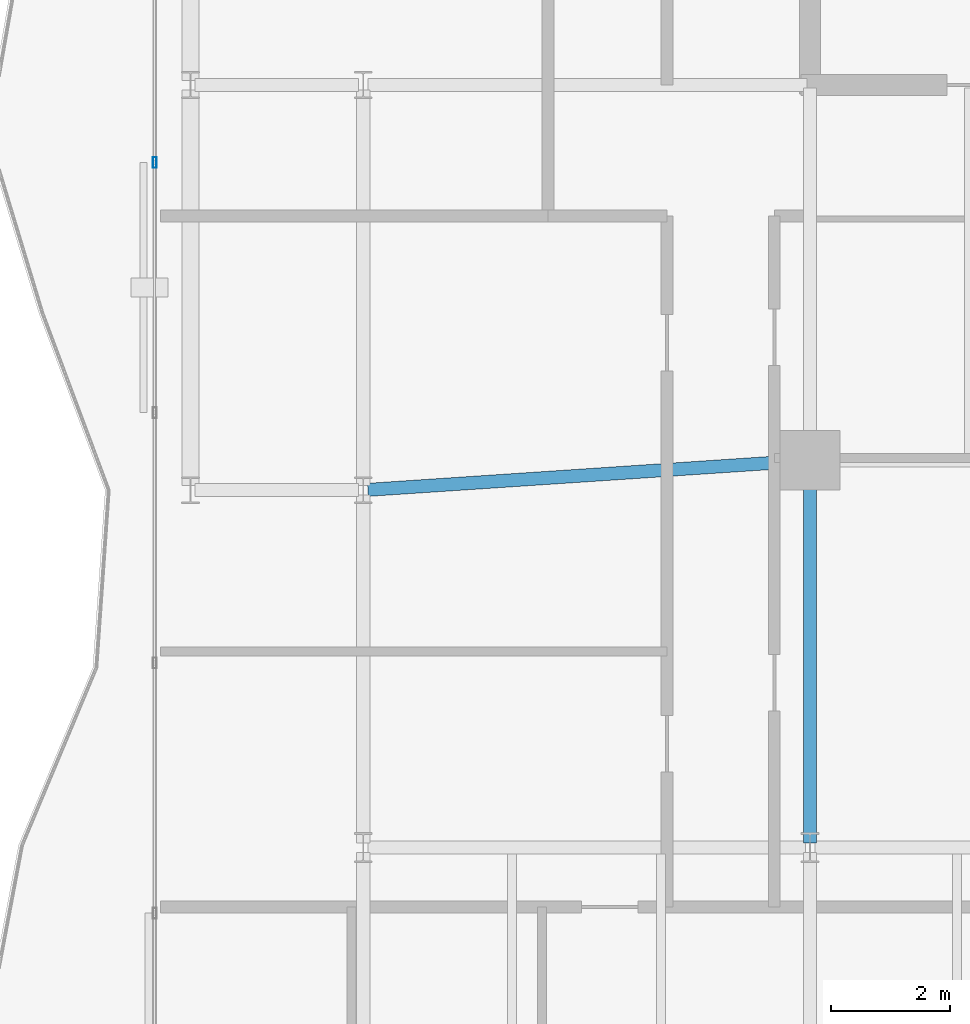
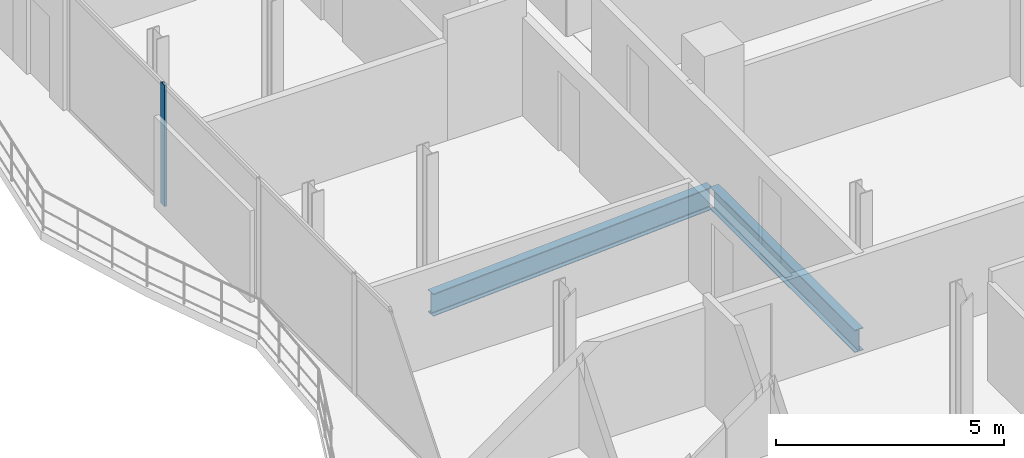
# One storey, part 8 of 23: 2 beams, 1 member, 1 element without a shape of its own.
"""IFC4 building model written with IfcOpenShell, lengths in metres."""

from ifc_helpers import new_model, si_unit, direction, frame, origin, origin_2d, place, context, subcontext, project, spatial, hollow_rectangle, i_section, extrude, material, layer, layer_set, material_profile, profile_set, type_object, element, aggregate, save


model = new_model("IFC4")

# Units and contexts
model_context = context("Model", 3, precision=1e-05, world=origin(), true_north=direction((0.0, 1.0)))
body_context = subcontext(model_context, "Body", "Model", "MODEL_VIEW")
ifc_project = project(units=[si_unit("LENGTHUNIT", "METRE"), si_unit("AREAUNIT", "SQUARE_METRE"), si_unit("VOLUMEUNIT", "CUBIC_METRE"), si_unit("PLANEANGLEUNIT", "RADIAN"), si_unit("MASSUNIT", "GRAM", prefix="KILO")], contexts=[model_context])

# Site, building, storey
site_placement = place(None, origin())
site = spatial("IfcSite", under=ifc_project, at=site_placement, CompositionType="ELEMENT")
building_placement = place(site_placement, origin())
building = spatial("IfcBuilding", under=site, at=building_placement, Name="Catumbela Crestline Tower", CompositionType="ELEMENT")
storey_placement = place(building_placement, frame((0.0, 0.0, 204.6)))
storey = spatial("IfcBuildingStorey", under=building, at=storey_placement, Name="L53", CompositionType="ELEMENT", Elevation=204.6)

# Beams
ifc_material_1 = material(Name="Structural steel S355J2", Category="steel")
ifc_material_profile_1 = material_profile(ifc_material_1, i_section(OverallWidth=0.22, OverallDepth=0.6, WebThickness=0.012, FlangeThickness=0.019, FilletRadius=0.024, at=origin_2d()), Name="IPE 600")
ifc_profile_set_1 = profile_set([ifc_material_profile_1], Name="Structural steel S355J2")
beam_type = type_object("IfcBeamType", Name="BG-IPE600", PredefinedType="BEAM", material=ifc_profile_set_1)
beam_1_placement = place(storey_placement, frame((8.5798, 24.0053, -0.56), z_axis=(0.997784796964, 0.066524423687, 0.0), x_axis=(-0.066524423687, 0.997784796964, 0.0)))
element("IfcBeam", 1, at=beam_1_placement, inside=storey, type_object=beam_type, Name="L53 Beam BM-L53-S02", PredefinedType="BEAM", context=body_context, shape_type="SweptSolid", body=[
    extrude(i_section(OverallWidth=0.22, OverallDepth=0.6, WebThickness=0.012, FlangeThickness=0.019, FilletRadius=0.024, at=origin_2d()), origin(), (0.0, 0.0, 1.0), 7.3567),
])
beam_2_placement = place(storey_placement, frame((16.0, 18.08, -0.56), z_axis=(0.0, 1.0, 0.0), x_axis=(-1.0, 0.0, 0.0)))
element("IfcBeam", 2, at=beam_2_placement, inside=storey, type_object=beam_type, Name="L53 Beam BM-L53-WNS42", PredefinedType="BEAM", context=body_context, shape_type="SweptSolid", body=[
    extrude(i_section(OverallWidth=0.22, OverallDepth=0.6, WebThickness=0.012, FlangeThickness=0.019, FilletRadius=0.024, at=origin_2d()), origin(), (0.0, 0.0, 1.0), 6.34),
])

# Curtain wall, member
ifc_material_2 = material(Name="Aluminium alloy AW-6060-T66", Category="aluminium")
ifc_layer = layer(ifc_material_2, 0.18, Name="Aluminium alloy AW-6060-T66")
ifc_layer_set = layer_set([ifc_layer], Name="Aluminium alloy AW-6060-T66")
curtain_wall_type = type_object("IfcCurtainWallType", Name="CWU-Z3", PredefinedType="USERDEFINED", material=ifc_layer_set)
curtain_wall_placement = place(storey_placement, origin())
curtain_wall = element("IfcCurtainWall", 3, at=curtain_wall_placement, inside=storey, type_object=curtain_wall_type, Name="L53 Unitised Curtain Wall CW-L53-E9S2", ObjectType="UNITISED", PredefinedType="USERDEFINED")
ifc_material_profile_2 = material_profile(ifc_material_2, hollow_rectangle(XDim=0.065, YDim=0.18, WallThickness=0.004, at=origin_2d()), Name="ALU 180x65x4")
ifc_profile_set_2 = profile_set([ifc_material_profile_2], Name="Aluminium alloy AW-6060-T66")
member_type = type_object("IfcMemberType", Name="MUL-180X65", PredefinedType="MULLION", material=ifc_profile_set_2)
member_placement = place(storey_placement, frame((5.0, 29.5, 0.0), z_axis=(0.0, 0.0, 1.0), x_axis=(1.0, 0.0, 0.0)))
member = element("IfcMember", 4, at=member_placement, type_object=member_type, Name="CWU-Z3 mullion 2", PredefinedType="MULLION", context=body_context, shape_type="SweptSolid", body=[
    extrude(hollow_rectangle(XDim=0.065, YDim=0.18, WallThickness=0.004, at=origin_2d()), origin(), (0.0, 0.0, 1.0), 3.24),
])
aggregate(curtain_wall, [member])

save(model, "model.ifc")
